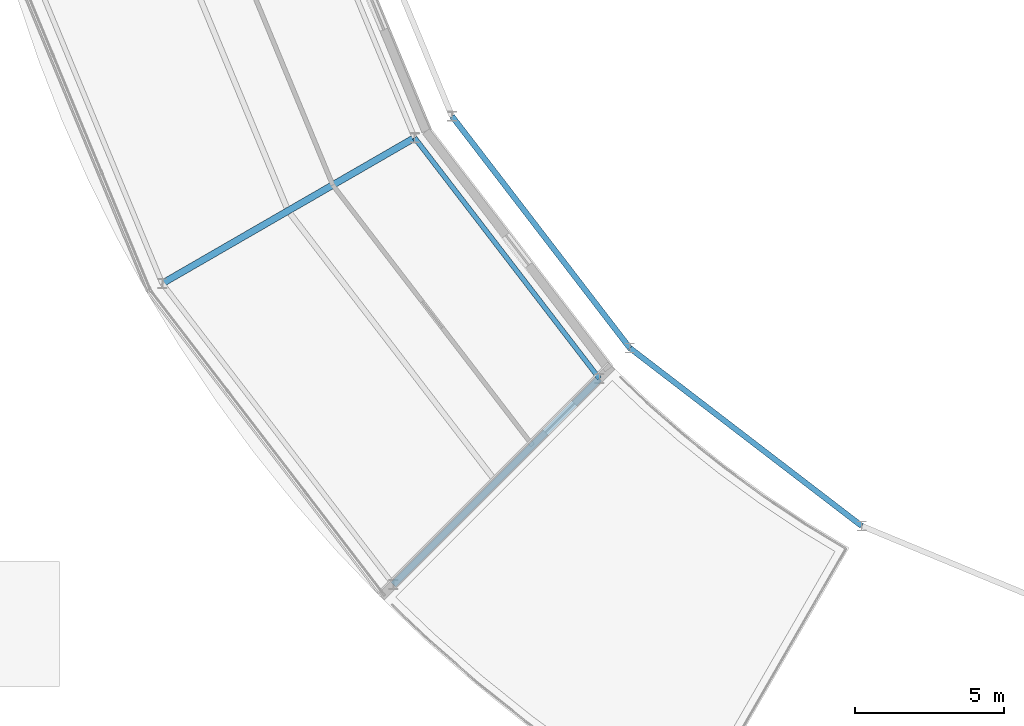
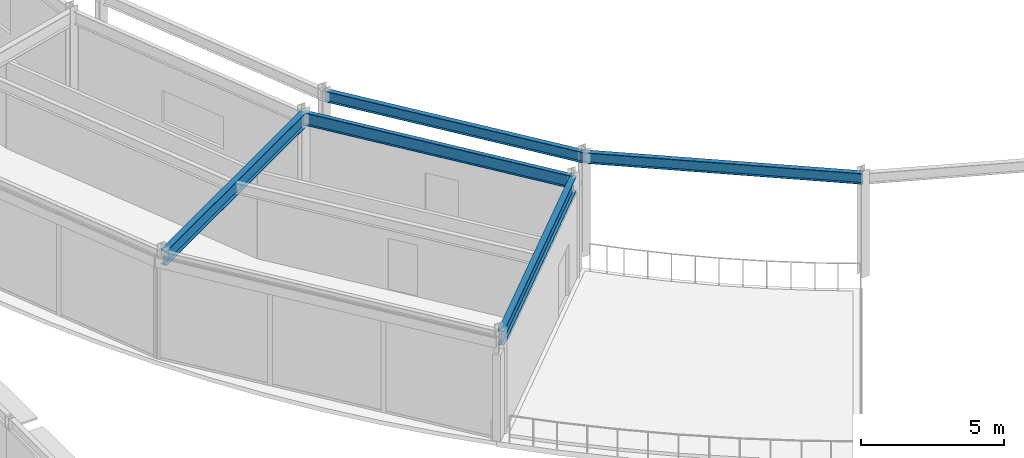
# One storey, part 26 of 133: 5 beams.
"""IFC4 building model written with IfcOpenShell, lengths in metres."""

from ifc_helpers import new_model, si_unit, direction, frame, origin, origin_2d, place, context, subcontext, project, spatial, i_section, extrude, material, material_profile, profile_set, type_object, element, save


model = new_model("IFC4")

# Units and contexts
model_context = context("Model", 3, precision=1e-05, world=origin(), true_north=direction((0.0, 1.0)))
body_context = subcontext(model_context, "Body", "Model", "MODEL_VIEW")
ifc_project = project(units=[si_unit("LENGTHUNIT", "METRE"), si_unit("AREAUNIT", "SQUARE_METRE"), si_unit("VOLUMEUNIT", "CUBIC_METRE"), si_unit("PLANEANGLEUNIT", "RADIAN"), si_unit("MASSUNIT", "GRAM", prefix="KILO")], contexts=[model_context])

# Site, building, storey
site_placement = place(None, origin())
site = spatial("IfcSite", under=ifc_project, at=site_placement, CompositionType="ELEMENT")
building_placement = place(site_placement, origin())
building = spatial("IfcBuilding", under=site, at=building_placement, Name="Almandine Court Research Institute", CompositionType="ELEMENT")
storey_placement = place(building_placement, frame((0.0, 0.0, 9.800048828125)))
storey = spatial("IfcBuildingStorey", under=building, at=storey_placement, Name="L02", CompositionType="ELEMENT", Elevation=9.800048828125)

# Beams
ifc_material = material(Name="Steel ASTM A992 Grade 50", Category="steel")
ifc_material_profile_1 = material_profile(ifc_material, i_section(OverallWidth=0.18994140625, OverallDepth=0.45703125, WebThickness=0.009033203125, FlangeThickness=0.014892578125, at=origin_2d()), Name="W460x74")
ifc_profile_set_1 = profile_set([ifc_material_profile_1], Name="Steel ASTM A992 Grade 50")
beam_type_1 = type_object("IfcBeamType", Name="Beam-B-01", PredefinedType="BEAM", material=ifc_profile_set_1)
for number, where, z_axis, x_axis, name in (
    (1, (54.39404296875, 37.175048828125, 4.140869140625), (0.608711534396, -0.793391623282, 0.0), (0.793391623282, 0.608711534396, 0.0), "L02 Atrium Outer Ring Beam"),
    (2, (60.376953125, 29.376953125, 4.140869140625), (0.793391623282, -0.608711534396, 0.0), (0.608711534396, 0.793391623282, 0.0), "L02 Atrium Outer Ring Beam"),
):
    element("IfcBeam", number, at=place(storey_placement, frame(where, z_axis=z_axis, x_axis=x_axis)), inside=storey, type_object=beam_type_1, Name=name, PredefinedType="BEAM", context=body_context, shape_type="SweptSolid", body=[
        extrude(i_section(OverallWidth=0.18994140625, OverallDepth=0.45703125, WebThickness=0.009033203125, FlangeThickness=0.014892578125, at=origin_2d()), origin(), (0.0, 0.0, 1.0), 9.828857421875),
    ])
ifc_material_profile_2 = material_profile(ifc_material, i_section(OverallWidth=0.22998046875, OverallDepth=0.616943359375, WebThickness=0.012939453125, FlangeThickness=0.02197265625, at=origin_2d()), Name="W610x140")
ifc_profile_set_2 = profile_set([ifc_material_profile_2], Name="Steel ASTM A992 Grade 50")
beam_type_2 = type_object("IfcBeamType", Name="Beam-G-02", PredefinedType="BEAM", material=ifc_profile_set_2)
beam_1_placement = place(storey_placement, frame((53.137939453125, 36.449951171875, 4.013916015625), z_axis=(-0.866030014362, -0.49999201416, 0.0), x_axis=(0.49999201416, -0.866030014362, 0.0)))
element("IfcBeam", 3, at=beam_1_placement, inside=storey, type_object=beam_type_2, Name="L02 Drum Radial Girder 14", PredefinedType="BEAM", context=body_context, shape_type="SweptSolid", body=[
    extrude(i_section(OverallWidth=0.22998046875, OverallDepth=0.616943359375, WebThickness=0.012939453125, FlangeThickness=0.02197265625, at=origin_2d()), origin(), (0.0, 0.0, 1.0), 9.800048828125),
])
beam_2_placement = place(storey_placement, frame((59.35205078125, 28.35205078125, 4.013916015625), z_axis=(-0.707106781187, -0.707106781187, 0.0), x_axis=(0.707106781187, -0.707106781187, 0.0)))
element("IfcBeam", 4, at=beam_2_placement, inside=storey, type_object=beam_type_2, Name="L02 Drum Radial Girder 15", PredefinedType="BEAM", context=body_context, shape_type="SweptSolid", body=[
    extrude(i_section(OverallWidth=0.22998046875, OverallDepth=0.616943359375, WebThickness=0.012939453125, FlangeThickness=0.02197265625, at=origin_2d()), origin(), (0.0, 0.0, 1.0), 9.80029296875),
])
ifc_material_profile_3 = material_profile(ifc_material, i_section(OverallWidth=0.166015625, OverallDepth=0.534912109375, WebThickness=0.010009765625, FlangeThickness=0.01708984375, at=origin_2d()), Name="W530x85")
ifc_profile_set_3 = profile_set([ifc_material_profile_3], Name="Steel ASTM A992 Grade 50")
beam_type_3 = type_object("IfcBeamType", Name="Beam-G-05-E", PredefinedType="SPANDREL", material=ifc_profile_set_3)
beam_3_placement = place(storey_placement, frame((53.137939453125, 36.449951171875, 4.054931640625), z_axis=(0.608784478787, -0.793335653042, 0.0), x_axis=(0.793335653042, 0.608784478787, 0.0)))
element("IfcBeam", 5, at=beam_3_placement, inside=storey, type_object=beam_type_3, Name="L02 Drum IN Ring Beam 14", PredefinedType="SPANDREL", context=body_context, shape_type="SweptSolid", body=[
    extrude(i_section(OverallWidth=0.166015625, OverallDepth=0.534912109375, WebThickness=0.010009765625, FlangeThickness=0.01708984375, at=origin_2d()), origin(), (0.0, 0.0, 1.0), 10.20751953125),
])

save(model, "model.ifc")
